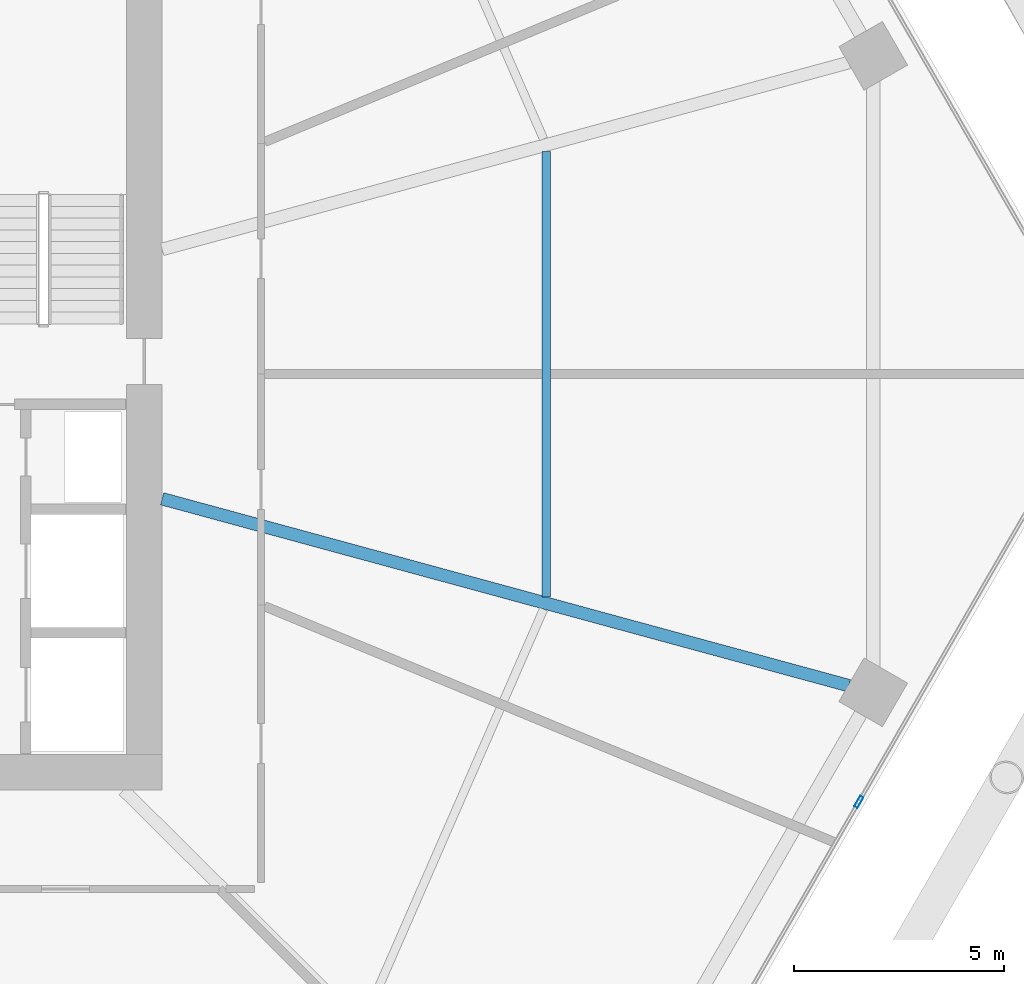
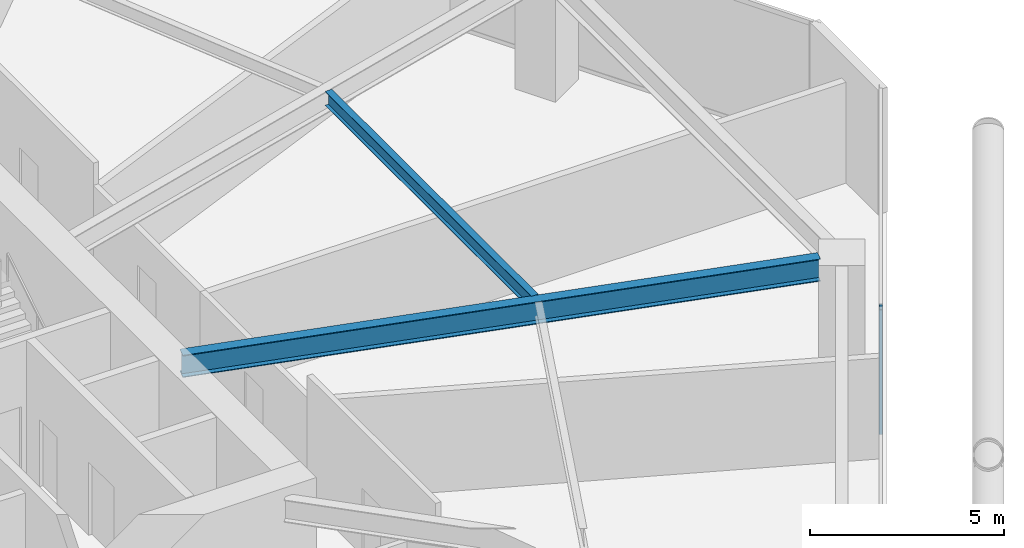
# One storey, part 11 of 28: 2 beams, 1 member, 1 element without a shape of its own.
"""IFC4 building model written with IfcOpenShell, lengths in metres."""

from ifc_helpers import new_model, si_unit, direction, frame, origin, origin_2d, place, context, subcontext, project, spatial, hollow_rectangle, i_section, extrude, material, material_profile, profile_set, type_object, element, aggregate, save


model = new_model("IFC4")

# Units and contexts
model_context = context("Model", 3, precision=1e-05, world=origin(), true_north=direction((0.0, 1.0)))
body_context = subcontext(model_context, "Body", "Model", "MODEL_VIEW")
ifc_project = project(units=[si_unit("LENGTHUNIT", "METRE"), si_unit("AREAUNIT", "SQUARE_METRE"), si_unit("VOLUMEUNIT", "CUBIC_METRE"), si_unit("PLANEANGLEUNIT", "RADIAN"), si_unit("MASSUNIT", "GRAM", prefix="KILO")], contexts=[model_context])

# Site, building, storey
site_placement = place(None, origin())
site = spatial("IfcSite", under=ifc_project, at=site_placement, CompositionType="ELEMENT")
building_placement = place(site_placement, origin())
building = spatial("IfcBuilding", under=site, at=building_placement, Name="Zuhravey Tower", CompositionType="ELEMENT")
storey_placement = place(building_placement, frame((0.0, 0.0, 75.0)))
storey = spatial("IfcBuildingStorey", under=building, at=storey_placement, Name="L18", CompositionType="ELEMENT", Elevation=75.0)

# Curtain wall, member
ifc_material_1 = material(Name="Thermally broken anodised aluminium", Category="aluminium")
curtain_wall_type = type_object("IfcCurtainWallType", Name="School Low-E Unitised Curtain Wall CW1", PredefinedType="NOTDEFINED", material=ifc_material_1)
curtain_wall_placement = place(storey_placement, origin())
curtain_wall = element("IfcCurtainWall", 1, at=curtain_wall_placement, inside=storey, type_object=curtain_wall_type, Name="L18 CW1 CW-L18-F6-1", PredefinedType="NOTDEFINED")
ifc_material_2 = material(Name="Anodised aluminium", Category="aluminium")
ifc_material_profile_1 = material_profile(ifc_material_2, hollow_rectangle(XDim=0.090087890625, YDim=0.284912109375, WallThickness=0.0048828125, at=origin_2d()), Name="ALU-RHS-90x285x5")
ifc_profile_set_1 = profile_set([ifc_material_profile_1], Name="Anodised aluminium")
member_type = type_object("IfcMemberType", Name="Curtain-Wall Mullion 90x180", PredefinedType="MULLION", material=ifc_profile_set_1)
member_placement = place(storey_placement, frame((63.54541015625, 21.79296875, 0.0), z_axis=(0.0, 0.0, 1.0), x_axis=(0.86602552265, -0.499999794119, 0.0)))
member = element("IfcMember", 2, at=member_placement, type_object=member_type, Name="CW1 mullion 2", PredefinedType="MULLION", context=body_context, shape_type="SweptSolid", body=[
    extrude(hollow_rectangle(XDim=0.090087890625, YDim=0.284912109375, WallThickness=0.0048828125, at=origin_2d()), origin(), (0.0, 0.0, 1.0), 3.919921875),
])
aggregate(curtain_wall, [member])

# Beams
ifc_material_3 = material(Name="Steel SM355", Category="steel")
ifc_material_profile_2 = material_profile(ifc_material_3, i_section(OverallWidth=0.300048828125, OverallDepth=0.699951171875, WebThickness=0.012939453125, FlangeThickness=0.02392578125, at=origin_2d()), Name="H-700x300x13x24")
ifc_profile_set_2 = profile_set([ifc_material_profile_2], Name="Steel SM355")
beam_type_1 = type_object("IfcBeamType", Name="Radial Primary Girder H700x300", PredefinedType="BEAM", material=ifc_profile_set_2)
beam_1_placement = place(storey_placement, frame((46.927978515625, 29.025390625, 3.570068359375), z_axis=(0.964892480455, -0.26264520015, 0.0), x_axis=(0.26264520015, 0.964892480455, 0.0)))
element("IfcBeam", 3, at=beam_1_placement, inside=storey, type_object=beam_type_1, Name="L18 RG1 BM-L18-RAD-12", PredefinedType="BEAM", context=body_context, shape_type="SweptSolid", body=[
    extrude(i_section(OverallWidth=0.300048828125, OverallDepth=0.699951171875, WebThickness=0.012939453125, FlangeThickness=0.02392578125, at=origin_2d()), origin(), (0.0, 0.0, 1.0), 16.975341796875),
])
ifc_material_profile_3 = material_profile(ifc_material_3, i_section(OverallWidth=0.199951171875, OverallDepth=0.449951171875, WebThickness=0.009033203125, FlangeThickness=0.013916015625, at=origin_2d()), Name="H-450x200x9x14")
ifc_profile_set_3 = profile_set([ifc_material_profile_3], Name="Steel SM355")
beam_type_2 = type_object("IfcBeamType", Name="Secondary Floor Joist H450x200", PredefinedType="JOIST", material=ifc_profile_set_3)
beam_2_placement = place(storey_placement, frame((56.0869140625, 26.686279296875, 3.695068359375), z_axis=(0.0, 1.0, 0.0), x_axis=(-1.0, 0.0, 0.0)))
element("IfcBeam", 4, at=beam_2_placement, inside=storey, type_object=beam_type_2, Name="L18 SJ1 BM-L18-SJ-12-1", PredefinedType="JOIST", context=body_context, shape_type="SweptSolid", body=[
    extrude(i_section(OverallWidth=0.199951171875, OverallDepth=0.449951171875, WebThickness=0.009033203125, FlangeThickness=0.013916015625, at=origin_2d()), origin(), (0.0, 0.0, 1.0), 10.62744140625),
])

save(model, "model.ifc")
